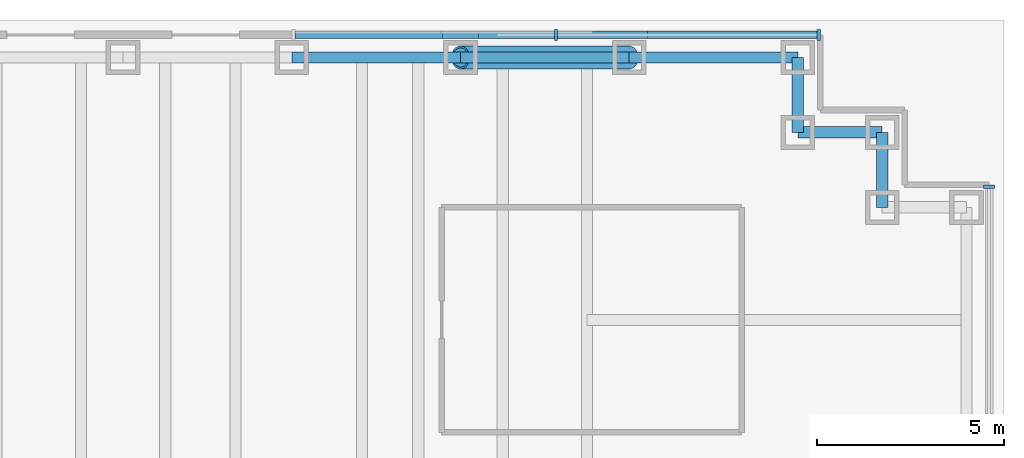
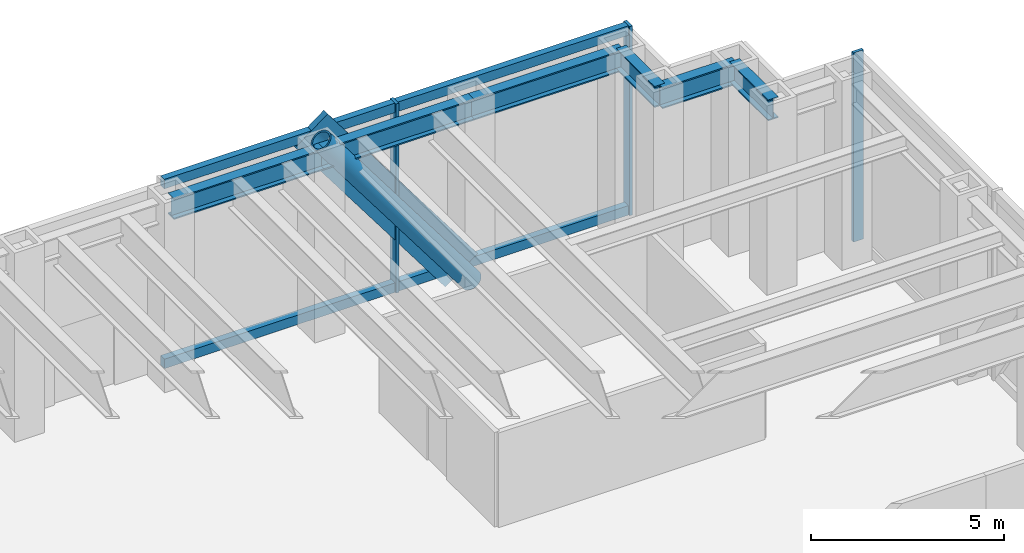
# One storey, part 9 of 17: 9 members, 6 beams, 2 elements without a shape of their own.
"""IFC4 building model written with IfcOpenShell, lengths in metres."""

from ifc_helpers import new_model, si_unit, direction, frame, origin, origin_2d, place, context, subcontext, project, spatial, rectangle, hollow_circle, i_section, extrude, material, material_profile, profile_set, type_object, element, aggregate, save


model = new_model("IFC4")

# Units and contexts
model_context = context("Model", 3, precision=1e-05, world=origin(), true_north=direction((0.0, 1.0)))
body_context = subcontext(model_context, "Body", "Model", "MODEL_VIEW")
ifc_project = project(units=[si_unit("LENGTHUNIT", "METRE"), si_unit("AREAUNIT", "SQUARE_METRE"), si_unit("VOLUMEUNIT", "CUBIC_METRE"), si_unit("PLANEANGLEUNIT", "RADIAN"), si_unit("MASSUNIT", "GRAM", prefix="KILO")], contexts=[model_context])

# Site, building, storey
site_placement = place(None, origin())
site = spatial("IfcSite", under=ifc_project, at=site_placement, CompositionType="ELEMENT")
building_placement = place(site_placement, origin())
building = spatial("IfcBuilding", under=site, at=building_placement, Name="Rheinbord Bourse Tower", CompositionType="ELEMENT")
storey_placement = place(building_placement, origin())
storey = spatial("IfcBuildingStorey", under=building, at=storey_placement, Name="L00", CompositionType="ELEMENT", Elevation=0.0)

# Curtain wall, member
ifc_material_1 = material(Name="Dark glass and black aluminium", Category="aluminium")
curtain_wall_type = type_object("IfcCurtainWallType", Name="CW4 DARK GLASS CURTAIN WALL", PredefinedType="USERDEFINED", material=ifc_material_1)
curtain_wall_1_placement = place(storey_placement, origin())
curtain_wall_1 = element("IfcCurtainWall", 1, at=curtain_wall_1_placement, inside=storey, type_object=curtain_wall_type, Name="Curtain wall CW4 N L00", ObjectType="UNITISED CURTAIN WALL", PredefinedType="USERDEFINED")
ifc_material_2 = material(Name="Black anodised aluminium", Category="aluminium")
ifc_material_profile_1 = material_profile(ifc_material_2, rectangle(XDim=0.199951171875, YDim=1.2099609375, at=origin_2d()), Name="CW4 DIAGONAL MULLION 1210x200")
ifc_profile_set_1 = profile_set([ifc_material_profile_1], Name="Black anodised aluminium")
member_type_1 = type_object("IfcMemberType", Name="CW4 BLACK DIAGONAL MULLION", PredefinedType="USERDEFINED", material=ifc_profile_set_1)
member_1_placement = place(storey_placement, frame((63.0, 46.60009765625, 0.0), z_axis=(-0.6, 0.0, 0.8), x_axis=(0.0, -1.0, 0.0)))
member_1 = element("IfcMember", 2, at=member_1_placement, type_object=member_type_1, Name="CW4 diagonal mullion b", ObjectType="DIAGONAL MULLION", PredefinedType="USERDEFINED", context=body_context, shape_type="SweptSolid", body=[
    extrude(rectangle(XDim=0.199951171875, YDim=1.2099609375, at=origin_2d()), origin(), (0.0, 0.0, 1.0), 7.5),
])

curtain_wall_2_placement = place(storey_placement, origin())
curtain_wall_2 = element("IfcCurtainWall", 3, at=curtain_wall_2_placement, inside=storey, type_object=curtain_wall_type, Name="Curtain wall CW4 E L00", ObjectType="UNITISED CURTAIN WALL", PredefinedType="USERDEFINED")
ifc_material_3 = material(Name="Black anodised aluminium", Category="aluminium")
ifc_material_profile_2 = material_profile(ifc_material_3, rectangle(XDim=0.300048828125, YDim=0.090087890625, at=origin_2d()), Name="CW4 MULLION 90x300")
ifc_profile_set_2 = profile_set([ifc_material_profile_2], Name="Black anodised aluminium")
member_type_2 = type_object("IfcMemberType", Name="CW4 BLACK MULLION", PredefinedType="MULLION", material=ifc_profile_set_2)
member_2_placement = place(storey_placement, frame((72.60009765625, 42.554931640625, 0.0), z_axis=(0.0, 0.0, 1.0), x_axis=(-1.0, 0.0, 0.0)))
member_2 = element("IfcMember", 4, at=member_2_placement, type_object=member_type_2, Name="CW4 mullion 3", PredefinedType="MULLION", context=body_context, shape_type="SweptSolid", body=[
    extrude(rectangle(XDim=0.300048828125, YDim=0.090087890625, at=origin_2d()), origin(), (0.0, 0.0, 1.0), 6.0),
])
aggregate(curtain_wall_2, [member_2])

# Member
member_3_placement = place(storey_placement, frame((68.054931640625, 46.60009765625, 0.0), z_axis=(0.0, 0.0, 1.0), x_axis=(0.0, -1.0, 0.0)))
member_3 = element("IfcMember", 5, at=member_3_placement, type_object=member_type_2, Name="CW4 mullion 1", PredefinedType="MULLION", context=body_context, shape_type="SweptSolid", body=[
    extrude(rectangle(XDim=0.300048828125, YDim=0.090087890625, at=origin_2d()), origin(), (0.0, 0.0, 1.0), 6.0),
])

member_4_placement = place(storey_placement, frame((61.050048828125, 46.60009765625, 0.0), z_axis=(0.0, 0.0, 1.0), x_axis=(0.0, -1.0, 0.0)))
member_4 = element("IfcMember", 6, at=member_4_placement, type_object=member_type_2, Name="CW4 mullion 2", PredefinedType="MULLION", context=body_context, shape_type="SweptSolid", body=[
    extrude(rectangle(XDim=0.300048828125, YDim=0.090087890625, at=origin_2d()), origin(), (0.0, 0.0, 1.0), 6.0),
])

ifc_material_4 = material(Name="Black anodised aluminium", Category="aluminium")
ifc_material_profile_3 = material_profile(ifc_material_4, rectangle(XDim=0.199951171875, YDim=0.300048828125, at=origin_2d()), Name="CW4 TRANSOM 300x200")
ifc_profile_set_3 = profile_set([ifc_material_profile_3], Name="Black anodised aluminium")
member_type_3 = type_object("IfcMemberType", Name="CW4 BLACK TRANSOM", PredefinedType="USERDEFINED", material=ifc_profile_set_3)
member_5_placement = place(storey_placement, frame((68.010009765625, 46.60009765625, 0.14990234375), z_axis=(-1.0, 0.0, 0.0), x_axis=(0.0, -1.0, 0.0)))
member_5 = element("IfcMember", 7, at=member_5_placement, type_object=member_type_3, Name="CW4 transom 1.1", ObjectType="TRANSOM", PredefinedType="USERDEFINED", context=body_context, shape_type="SweptSolid", body=[
    extrude(rectangle(XDim=0.199951171875, YDim=0.300048828125, at=origin_2d()), origin(), (0.0, 0.0, 1.0), 6.9150390625),
])

member_6_placement = place(storey_placement, frame((68.010009765625, 46.60009765625, 5.85009765625), z_axis=(-1.0, 0.0, 0.0), x_axis=(0.0, -1.0, 0.0)))
member_6 = element("IfcMember", 8, at=member_6_placement, type_object=member_type_3, Name="CW4 transom 1.2", ObjectType="TRANSOM", PredefinedType="USERDEFINED", context=body_context, shape_type="SweptSolid", body=[
    extrude(rectangle(XDim=0.199951171875, YDim=0.300048828125, at=origin_2d()), origin(), (0.0, 0.0, 1.0), 6.9150390625),
])

member_7_placement = place(storey_placement, frame((61.0048828125, 46.60009765625, 0.14990234375), z_axis=(-1.0, 0.0, 0.0), x_axis=(0.0, -1.0, 0.0)))
member_7 = element("IfcMember", 9, at=member_7_placement, type_object=member_type_3, Name="CW4 transom 2.1", ObjectType="TRANSOM", PredefinedType="USERDEFINED", context=body_context, shape_type="SweptSolid", body=[
    extrude(rectangle(XDim=0.199951171875, YDim=0.300048828125, at=origin_2d()), origin(), (0.0, 0.0, 1.0), 6.914794921875),
])

member_8_placement = place(storey_placement, frame((61.0048828125, 46.60009765625, 5.85009765625), z_axis=(-1.0, 0.0, 0.0), x_axis=(0.0, -1.0, 0.0)))
member_8 = element("IfcMember", 10, at=member_8_placement, type_object=member_type_3, Name="CW4 transom 2.2", ObjectType="TRANSOM", PredefinedType="USERDEFINED", context=body_context, shape_type="SweptSolid", body=[
    extrude(rectangle(XDim=0.199951171875, YDim=0.300048828125, at=origin_2d()), origin(), (0.0, 0.0, 1.0), 6.914794921875),
])

aggregate(curtain_wall_1, [member_3, member_4, member_5, member_6, member_7, member_8, member_1])

ifc_material_5 = material(Name="Steel S460", Category="steel")
ifc_material_profile_4 = material_profile(ifc_material_5, hollow_circle(Radius=0.304931640625, WallThickness=0.050048828125, at=origin_2d()), Name="CHS 610x50")
ifc_profile_set_4 = profile_set([ifc_material_profile_4], Name="Steel S460")
member_type_4 = type_object("IfcMemberType", Name="MEGABRACE CHS 610x50", PredefinedType="BRACE", material=ifc_profile_set_4)
member_9_placement = place(storey_placement, frame((63.0, 46.0, 0.0), z_axis=(-0.6, 0.0, 0.8), x_axis=(0.0, -1.0, 0.0)))
element("IfcMember", 11, at=member_9_placement, inside=storey, type_object=member_type_4, Name="Megabrace N face line b L00", PredefinedType="BRACE", context=body_context, shape_type="SweptSolid", body=[
    extrude(hollow_circle(Radius=0.304931640625, WallThickness=0.050048828125, at=origin_2d()), origin(), (0.0, 0.0, 1.0), 7.5),
])

# Beams
ifc_material_6 = material(Name="Steel S460", Category="steel")
ifc_material_profile_5 = material_profile(ifc_material_6, i_section(OverallWidth=0.304931640625, OverallDepth=0.66796875, WebThickness=0.02099609375, FlangeThickness=0.0400390625, at=origin_2d()), Name="HEM 650")
ifc_profile_set_5 = profile_set([ifc_material_profile_5], Name="Steel S460")
beam_type = type_object("IfcBeamType", Name="SPANDREL HEM 650", PredefinedType="SPANDREL", material=ifc_profile_set_5)
beam_1_placement = place(storey_placement, frame((69.75, 42.0, 5.486083984375), z_axis=(0.0, 1.0, 0.0), x_axis=(-1.0, 0.0, 0.0)))
element("IfcBeam", 12, at=beam_1_placement, inside=storey, type_object=beam_type, Name="Spandrel NE-B-NE-C under L01", PredefinedType="SPANDREL", context=body_context, shape_type="SweptSolid", body=[
    extrude(i_section(OverallWidth=0.304931640625, OverallDepth=0.66796875, WebThickness=0.02099609375, FlangeThickness=0.0400390625, at=origin_2d()), origin(), (0.0, 0.0, 1.0), 2.0),
])
beam_2_placement = place(storey_placement, frame((69.75, 44.0, 5.486083984375), z_axis=(-1.0, 0.0, 0.0), x_axis=(0.0, -1.0, 0.0)))
element("IfcBeam", 13, at=beam_2_placement, inside=storey, type_object=beam_type, Name="Spandrel NE-C-NE-D under L01", PredefinedType="SPANDREL", context=body_context, shape_type="SweptSolid", body=[
    extrude(i_section(OverallWidth=0.304931640625, OverallDepth=0.66796875, WebThickness=0.02099609375, FlangeThickness=0.0400390625, at=origin_2d()), origin(), (0.0, 0.0, 1.0), 2.25),
])
beam_3_placement = place(storey_placement, frame((67.5, 44.0, 5.486083984375), z_axis=(0.0, 1.0, 0.0), x_axis=(-1.0, 0.0, 0.0)))
element("IfcBeam", 14, at=beam_3_placement, inside=storey, type_object=beam_type, Name="Spandrel NE-D-NE-E under L01", PredefinedType="SPANDREL", context=body_context, shape_type="SweptSolid", body=[
    extrude(i_section(OverallWidth=0.304931640625, OverallDepth=0.66796875, WebThickness=0.02099609375, FlangeThickness=0.0400390625, at=origin_2d()), origin(), (0.0, 0.0, 1.0), 2.0),
])
for number, where, z_axis, x_axis, name in (
    (15, (67.5, 46.0, 5.486083984375), (-1.0, 0.0, 0.0), (0.0, -1.0, 0.0), "Spandrel NE-E-N-63 under L01"),
    (16, (63.0, 46.0, 5.486083984375), (-1.0, 0.0, 0.0), (0.0, -1.0, 0.0), "Spandrel N-63-N-58.5 under L01"),
    (17, (58.5, 46.0, 5.486083984375), (-1.0, 0.0, 0.0), (0.0, -1.0, 0.0), "Spandrel N-58.5-N-54 under L01"),
):
    element("IfcBeam", number, at=place(storey_placement, frame(where, z_axis=z_axis, x_axis=x_axis)), inside=storey, type_object=beam_type, Name=name, PredefinedType="SPANDREL", context=body_context, shape_type="SweptSolid", body=[
        extrude(i_section(OverallWidth=0.304931640625, OverallDepth=0.66796875, WebThickness=0.02099609375, FlangeThickness=0.0400390625, at=origin_2d()), origin(), (0.0, 0.0, 1.0), 4.5),
    ])

save(model, "model.ifc")
